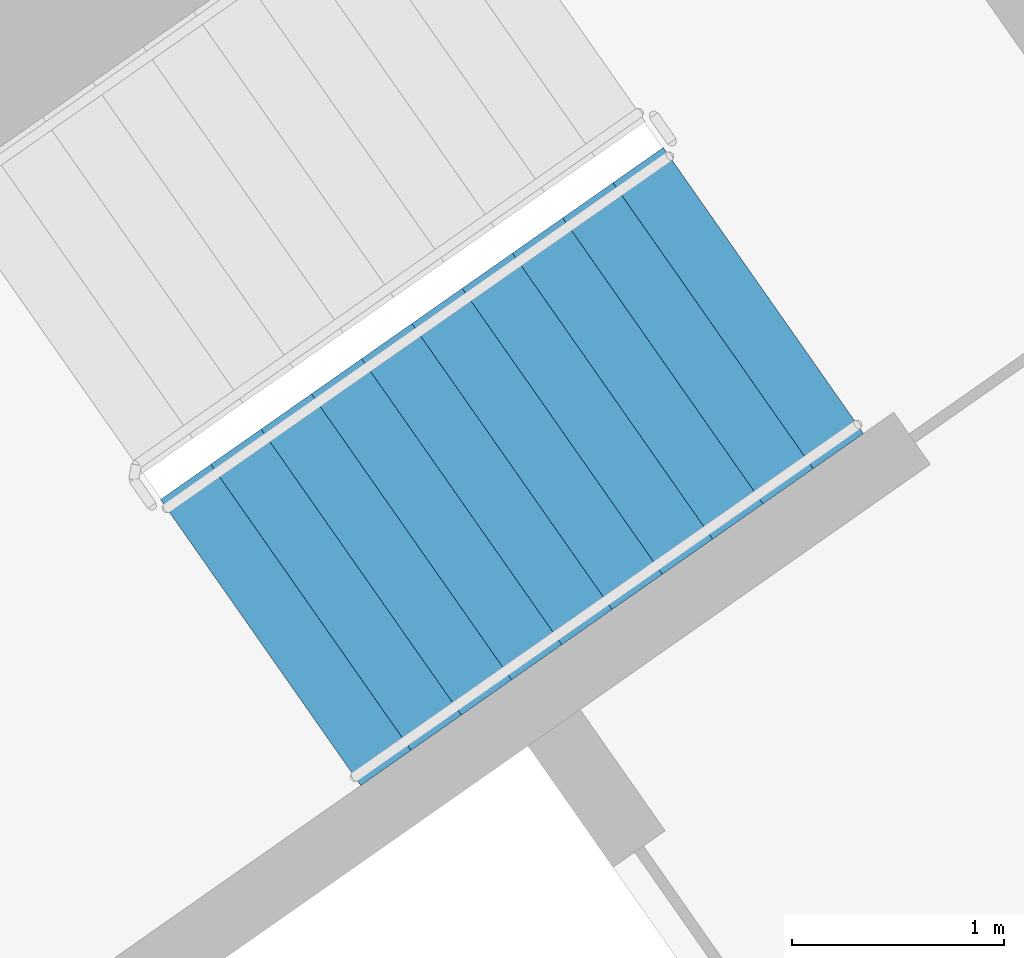
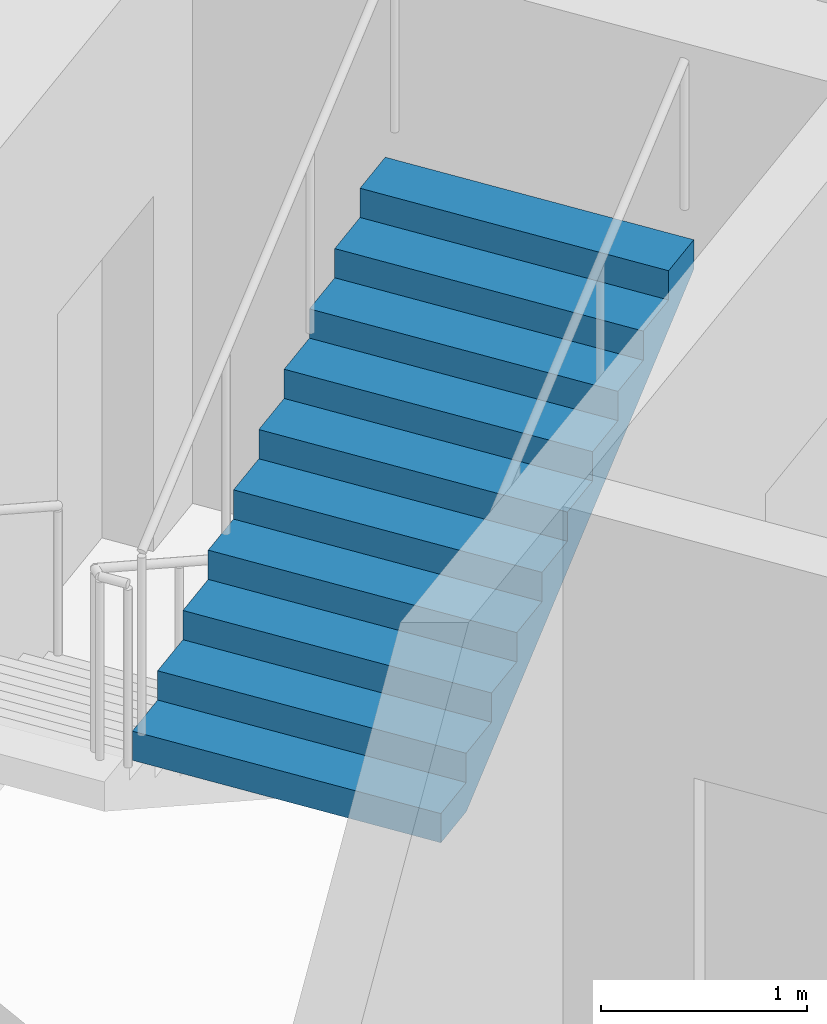
# One storey, part 15 of 26: 1 stair flight, 1 element without a shape of its own.
"""IFC4 building model written with IfcOpenShell, lengths in metres."""

from ifc_helpers import new_model, si_unit, direction, frame, origin, place, context, subcontext, project, spatial, faceted_brep, material, type_object, element, aggregate, save


model = new_model("IFC4")

# Units and contexts
model_context = context("Model", 3, precision=1e-05, world=origin(), true_north=direction((0.0, 1.0)))
body_context = subcontext(model_context, "Body", "Model", "MODEL_VIEW")
ifc_project = project(units=[si_unit("LENGTHUNIT", "METRE"), si_unit("AREAUNIT", "SQUARE_METRE"), si_unit("VOLUMEUNIT", "CUBIC_METRE"), si_unit("PLANEANGLEUNIT", "RADIAN"), si_unit("MASSUNIT", "GRAM", prefix="KILO")], contexts=[model_context])

# Site, building, storey
site_placement = place(None, origin())
site = spatial("IfcSite", under=ifc_project, at=site_placement, CompositionType="ELEMENT")
building_placement = place(site_placement, origin())
building = spatial("IfcBuilding", under=site, at=building_placement, Name="Qamariyya Broadcast Tower", CompositionType="ELEMENT")
storey_placement = place(building_placement, frame((0.0, 0.0, 156.89990234375)))
storey = spatial("IfcBuildingStorey", under=building, at=storey_placement, Name="L36", CompositionType="ELEMENT", Elevation=156.89990234375)

# Stair, stair flight
ifc_material = material(Name="Concrete C50/60", Category="concrete")
stair_type = type_object("IfcStairType", Name="Exit stair 22 risers of 173 mm", PredefinedType="HALF_TURN_STAIR", material=ifc_material)
stair_placement = place(storey_placement, origin())
stair = element("IfcStair", 1, at=stair_placement, inside=storey, type_object=stair_type, Name="L36 Stair E2", PredefinedType="HALF_TURN_STAIR")
stair_flight_type = type_object("IfcStairFlightType", Name="Exit stair flight 11 risers of 173 mm", PredefinedType="STRAIGHT", material=ifc_material)
stair_flight_placement = place(storey_placement, frame((39.215576171875, -50.822998046875, 1.900146484375), z_axis=(0.0, 0.0, 1.0), x_axis=(0.819152044289, 0.573576436351, 0.0)))
stair_flight = element("IfcStairFlight", 2, at=stair_flight_placement, type_object=stair_flight_type, Name="ST-E2 flight 2", NumberOfRisers=11, NumberOfTreads=10, PredefinedType="STRAIGHT", RiserHeight=0.172727273, TreadLength=0.29, context=body_context, shape_type="Brep", body=[
    faceted_brep([(0.0, 0.824951171875, 0.0), (0.0, 0.824951171875, 0.172607421875), (0.2900390625, 0.824951171875, 0.172607421875), (0.2900390625, 0.824951171875, 0.345458984375), (0.580078125, 0.824951171875, 0.345458984375), (0.580078125, 0.824951171875, 0.51806640625), (0.8701171875, 0.824951171875, 0.51806640625), (0.8701171875, 0.824951171875, 0.69091796875), (1.159912109375, 0.824951171875, 0.69091796875), (1.159912109375, 0.824951171875, 0.863525390625), (1.449951171875, 0.824951171875, 0.863525390625), (1.449951171875, 0.824951171875, 1.036376953125), (1.739990234375, 0.824951171875, 1.036376953125), (1.739990234375, 0.824951171875, 1.208984375), (2.030029296875, 0.824951171875, 1.208984375), (2.030029296875, 0.824951171875, 1.3818359375), (2.320068359375, 0.824951171875, 1.3818359375), (2.320068359375, 0.824951171875, 1.554443359375), (2.610107421875, 0.824951171875, 1.554443359375), (2.610107421875, 0.824951171875, 1.727294921875), (2.89990234375, 0.824951171875, 1.727294921875), (2.89990234375, 0.824951171875, 1.552734375), (0.29296875, 0.824951171875, 0.0), (0.29296875, -0.824951171875, 0.0), (2.89990234375, -0.824951171875, 1.552734375), (2.89990234375, -0.824951171875, 1.727294921875), (2.610107421875, -0.824951171875, 1.727294921875), (2.610107421875, -0.824951171875, 1.554443359375), (2.320068359375, -0.824951171875, 1.554443359375), (2.320068359375, -0.824951171875, 1.3818359375), (2.030029296875, -0.824951171875, 1.3818359375), (2.030029296875, -0.824951171875, 1.208984375), (1.739990234375, -0.824951171875, 1.208984375), (1.739990234375, -0.824951171875, 1.036376953125), (1.449951171875, -0.824951171875, 1.036376953125), (1.449951171875, -0.824951171875, 0.863525390625), (1.159912109375, -0.824951171875, 0.863525390625), (1.159912109375, -0.824951171875, 0.69091796875), (0.8701171875, -0.824951171875, 0.69091796875), (0.8701171875, -0.824951171875, 0.51806640625), (0.580078125, -0.824951171875, 0.51806640625), (0.580078125, -0.824951171875, 0.345458984375), (0.2900390625, -0.824951171875, 0.345458984375), (0.2900390625, -0.824951171875, 0.172607421875), (0.0, -0.824951171875, 0.172607421875), (0.0, -0.824951171875, 0.0), (0.0, 0.10009765625, 0.0), (0.0, 0.086669921875, 0.0), (0.0, 0.0732421875, 0.0), (0.0, 0.06005859375, 0.0), (0.0, 0.046630859375, 0.0), (0.0, 0.033447265625, 0.0), (0.0, 0.02001953125, 0.0), (0.0, 0.006591796875, 0.0), (0.0, -0.006591796875, 0.0), (0.0, -0.02001953125, 0.0), (0.0, -0.033447265625, 0.0), (0.0, -0.046630859375, 0.0), (0.0, -0.06005859375, 0.0), (0.0, -0.0732421875, 0.0), (0.0, -0.086669921875, 0.0), (0.0, -0.10009765625, 0.0), (0.0, -0.10009765625, 0.172607421875), (0.0, -0.086669921875, 0.172607421875), (0.0, -0.0732421875, 0.172607421875), (0.0, -0.06005859375, 0.172607421875), (0.0, -0.046630859375, 0.172607421875), (0.0, -0.033447265625, 0.172607421875), (0.0, -0.02001953125, 0.172607421875), (0.0, -0.006591796875, 0.172607421875), (0.0, 0.006591796875, 0.172607421875), (0.0, 0.02001953125, 0.172607421875), (0.0, 0.033447265625, 0.172607421875), (0.0, 0.046630859375, 0.172607421875), (0.0, 0.06005859375, 0.172607421875), (0.0, 0.0732421875, 0.172607421875), (0.0, 0.086669921875, 0.172607421875), (0.0, 0.10009765625, 0.172607421875), (0.2900390625, -0.10009765625, 0.172607421875), (0.2900390625, -0.086669921875, 0.172607421875), (0.2900390625, -0.0732421875, 0.172607421875), (0.2900390625, -0.06005859375, 0.172607421875), (0.2900390625, -0.046630859375, 0.172607421875), (0.2900390625, -0.033447265625, 0.172607421875), (0.2900390625, -0.02001953125, 0.172607421875), (0.2900390625, -0.006591796875, 0.172607421875), (0.2900390625, 0.006591796875, 0.172607421875), (0.2900390625, 0.02001953125, 0.172607421875), (0.2900390625, 0.033447265625, 0.172607421875), (0.2900390625, 0.046630859375, 0.172607421875), (0.2900390625, 0.06005859375, 0.172607421875), (0.2900390625, 0.0732421875, 0.172607421875), (0.2900390625, 0.086669921875, 0.172607421875), (0.2900390625, 0.10009765625, 0.172607421875), (0.2900390625, -0.10009765625, 0.345458984375), (0.2900390625, -0.086669921875, 0.345458984375), (0.2900390625, -0.0732421875, 0.345458984375), (0.2900390625, -0.06005859375, 0.345458984375), (0.2900390625, -0.046630859375, 0.345458984375), (0.2900390625, -0.033447265625, 0.345458984375), (0.2900390625, -0.02001953125, 0.345458984375), (0.2900390625, -0.006591796875, 0.345458984375), (0.2900390625, 0.006591796875, 0.345458984375), (0.2900390625, 0.02001953125, 0.345458984375), (0.2900390625, 0.033447265625, 0.345458984375), (0.2900390625, 0.046630859375, 0.345458984375), (0.2900390625, 0.06005859375, 0.345458984375), (0.2900390625, 0.0732421875, 0.345458984375), (0.2900390625, 0.086669921875, 0.345458984375), (0.2900390625, 0.10009765625, 0.345458984375), (0.580078125, -0.10009765625, 0.345458984375), (0.580078125, -0.086669921875, 0.345458984375), (0.580078125, -0.0732421875, 0.345458984375), (0.580078125, -0.06005859375, 0.345458984375), (0.580078125, -0.046630859375, 0.345458984375), (0.580078125, -0.033447265625, 0.345458984375), (0.580078125, -0.02001953125, 0.345458984375), (0.580078125, -0.006591796875, 0.345458984375), (0.580078125, 0.006591796875, 0.345458984375), (0.580078125, 0.02001953125, 0.345458984375), (0.580078125, 0.033447265625, 0.345458984375), (0.580078125, 0.046630859375, 0.345458984375), (0.580078125, 0.06005859375, 0.345458984375), (0.580078125, 0.0732421875, 0.345458984375), (0.580078125, 0.086669921875, 0.345458984375), (0.580078125, 0.10009765625, 0.345458984375), (0.580078125, -0.10009765625, 0.51806640625), (0.580078125, -0.086669921875, 0.51806640625), (0.580078125, -0.0732421875, 0.51806640625), (0.580078125, -0.06005859375, 0.51806640625), (0.580078125, -0.046630859375, 0.51806640625), (0.580078125, -0.033447265625, 0.51806640625), (0.580078125, -0.02001953125, 0.51806640625), (0.580078125, -0.006591796875, 0.51806640625), (0.580078125, 0.006591796875, 0.51806640625), (0.580078125, 0.02001953125, 0.51806640625), (0.580078125, 0.033447265625, 0.51806640625), (0.580078125, 0.046630859375, 0.51806640625), (0.580078125, 0.06005859375, 0.51806640625), (0.580078125, 0.0732421875, 0.51806640625), (0.580078125, 0.086669921875, 0.51806640625), (0.580078125, 0.10009765625, 0.51806640625), (0.8701171875, -0.10009765625, 0.51806640625), (0.8701171875, -0.086669921875, 0.51806640625), (0.8701171875, -0.0732421875, 0.51806640625), (0.8701171875, -0.06005859375, 0.51806640625), (0.8701171875, -0.046630859375, 0.51806640625), (0.8701171875, -0.033447265625, 0.51806640625), (0.8701171875, -0.02001953125, 0.51806640625), (0.8701171875, -0.006591796875, 0.51806640625), (0.8701171875, 0.006591796875, 0.51806640625), (0.8701171875, 0.02001953125, 0.51806640625), (0.8701171875, 0.033447265625, 0.51806640625), (0.8701171875, 0.046630859375, 0.51806640625), (0.8701171875, 0.06005859375, 0.51806640625), (0.8701171875, 0.0732421875, 0.51806640625), (0.8701171875, 0.086669921875, 0.51806640625), (0.8701171875, 0.10009765625, 0.51806640625), (0.8701171875, -0.10009765625, 0.69091796875), (0.8701171875, -0.086669921875, 0.69091796875), (0.8701171875, -0.0732421875, 0.69091796875), (0.8701171875, -0.06005859375, 0.69091796875), (0.8701171875, -0.046630859375, 0.69091796875), (0.8701171875, -0.033447265625, 0.69091796875), (0.8701171875, -0.02001953125, 0.69091796875), (0.8701171875, -0.006591796875, 0.69091796875), (0.8701171875, 0.006591796875, 0.69091796875), (0.8701171875, 0.02001953125, 0.69091796875), (0.8701171875, 0.033447265625, 0.69091796875), (0.8701171875, 0.046630859375, 0.69091796875), (0.8701171875, 0.06005859375, 0.69091796875), (0.8701171875, 0.0732421875, 0.69091796875), (0.8701171875, 0.086669921875, 0.69091796875), (0.8701171875, 0.10009765625, 0.69091796875), (1.159912109375, -0.10009765625, 0.69091796875), (1.159912109375, -0.086669921875, 0.69091796875), (1.159912109375, -0.0732421875, 0.69091796875), (1.159912109375, -0.06005859375, 0.69091796875), (1.159912109375, -0.046630859375, 0.69091796875), (1.159912109375, -0.033447265625, 0.69091796875), (1.159912109375, -0.02001953125, 0.69091796875), (1.159912109375, -0.006591796875, 0.69091796875), (1.159912109375, 0.006591796875, 0.69091796875), (1.159912109375, 0.02001953125, 0.69091796875), (1.159912109375, 0.033447265625, 0.69091796875), (1.159912109375, 0.046630859375, 0.69091796875), (1.159912109375, 0.06005859375, 0.69091796875), (1.159912109375, 0.0732421875, 0.69091796875), (1.159912109375, 0.086669921875, 0.69091796875), (1.159912109375, 0.10009765625, 0.69091796875), (1.159912109375, -0.10009765625, 0.863525390625), (1.159912109375, -0.086669921875, 0.863525390625), (1.159912109375, -0.0732421875, 0.863525390625), (1.159912109375, -0.06005859375, 0.863525390625), (1.159912109375, -0.046630859375, 0.863525390625), (1.159912109375, -0.033447265625, 0.863525390625), (1.159912109375, -0.02001953125, 0.863525390625), (1.159912109375, -0.006591796875, 0.863525390625), (1.159912109375, 0.006591796875, 0.863525390625), (1.159912109375, 0.02001953125, 0.863525390625), (1.159912109375, 0.033447265625, 0.863525390625), (1.159912109375, 0.046630859375, 0.863525390625), (1.159912109375, 0.06005859375, 0.863525390625), (1.159912109375, 0.0732421875, 0.863525390625), (1.159912109375, 0.086669921875, 0.863525390625), (1.159912109375, 0.10009765625, 0.863525390625), (1.449951171875, -0.10009765625, 0.863525390625), (1.449951171875, -0.086669921875, 0.863525390625), (1.449951171875, -0.0732421875, 0.863525390625), (1.449951171875, -0.06005859375, 0.863525390625), (1.449951171875, -0.046630859375, 0.863525390625), (1.449951171875, -0.033447265625, 0.863525390625), (1.449951171875, -0.02001953125, 0.863525390625), (1.449951171875, -0.006591796875, 0.863525390625), (1.449951171875, 0.006591796875, 0.863525390625), (1.449951171875, 0.02001953125, 0.863525390625), (1.449951171875, 0.033447265625, 0.863525390625), (1.449951171875, 0.046630859375, 0.863525390625), (1.449951171875, 0.06005859375, 0.863525390625), (1.449951171875, 0.0732421875, 0.863525390625), (1.449951171875, 0.086669921875, 0.863525390625), (1.449951171875, 0.10009765625, 0.863525390625), (1.449951171875, -0.10009765625, 1.036376953125), (1.449951171875, -0.086669921875, 1.036376953125), (1.449951171875, -0.0732421875, 1.036376953125), (1.449951171875, -0.06005859375, 1.036376953125), (1.449951171875, -0.046630859375, 1.036376953125), (1.449951171875, -0.033447265625, 1.036376953125), (1.449951171875, -0.02001953125, 1.036376953125), (1.449951171875, -0.006591796875, 1.036376953125), (1.449951171875, 0.006591796875, 1.036376953125), (1.449951171875, 0.02001953125, 1.036376953125), (1.449951171875, 0.033447265625, 1.036376953125), (1.449951171875, 0.046630859375, 1.036376953125), (1.449951171875, 0.06005859375, 1.036376953125), (1.449951171875, 0.0732421875, 1.036376953125), (1.449951171875, 0.086669921875, 1.036376953125), (1.449951171875, 0.10009765625, 1.036376953125), (1.739990234375, -0.10009765625, 1.036376953125), (1.739990234375, -0.086669921875, 1.036376953125), (1.739990234375, -0.0732421875, 1.036376953125), (1.739990234375, -0.06005859375, 1.036376953125), (1.739990234375, -0.046630859375, 1.036376953125), (1.739990234375, -0.033447265625, 1.036376953125), (1.739990234375, -0.02001953125, 1.036376953125), (1.739990234375, -0.006591796875, 1.036376953125), (1.739990234375, 0.006591796875, 1.036376953125), (1.739990234375, 0.02001953125, 1.036376953125), (1.739990234375, 0.033447265625, 1.036376953125), (1.739990234375, 0.046630859375, 1.036376953125), (1.739990234375, 0.06005859375, 1.036376953125), (1.739990234375, 0.0732421875, 1.036376953125), (1.739990234375, 0.086669921875, 1.036376953125), (1.739990234375, 0.10009765625, 1.036376953125), (1.739990234375, -0.10009765625, 1.208984375), (1.739990234375, -0.086669921875, 1.208984375), (1.739990234375, -0.0732421875, 1.208984375), (1.739990234375, -0.06005859375, 1.208984375), (1.739990234375, -0.046630859375, 1.208984375), (1.739990234375, -0.033447265625, 1.208984375), (1.739990234375, -0.02001953125, 1.208984375), (1.739990234375, -0.006591796875, 1.208984375), (1.739990234375, 0.006591796875, 1.208984375), (1.739990234375, 0.02001953125, 1.208984375), (1.739990234375, 0.033447265625, 1.208984375), (1.739990234375, 0.046630859375, 1.208984375), (1.739990234375, 0.06005859375, 1.208984375), (1.739990234375, 0.0732421875, 1.208984375), (1.739990234375, 0.086669921875, 1.208984375), (1.739990234375, 0.10009765625, 1.208984375), (2.030029296875, -0.10009765625, 1.208984375), (2.030029296875, -0.086669921875, 1.208984375), (2.030029296875, -0.0732421875, 1.208984375), (2.030029296875, -0.06005859375, 1.208984375), (2.030029296875, -0.046630859375, 1.208984375), (2.030029296875, -0.033447265625, 1.208984375), (2.030029296875, -0.02001953125, 1.208984375), (2.030029296875, -0.006591796875, 1.208984375), (2.030029296875, 0.006591796875, 1.208984375), (2.030029296875, 0.02001953125, 1.208984375), (2.030029296875, 0.033447265625, 1.208984375), (2.030029296875, 0.046630859375, 1.208984375), (2.030029296875, 0.06005859375, 1.208984375), (2.030029296875, 0.0732421875, 1.208984375), (2.030029296875, 0.086669921875, 1.208984375), (2.030029296875, 0.10009765625, 1.208984375), (2.030029296875, -0.10009765625, 1.3818359375), (2.030029296875, -0.086669921875, 1.3818359375), (2.030029296875, -0.0732421875, 1.3818359375), (2.030029296875, -0.06005859375, 1.3818359375), (2.030029296875, -0.046630859375, 1.3818359375), (2.030029296875, -0.033447265625, 1.3818359375), (2.030029296875, -0.02001953125, 1.3818359375), (2.030029296875, -0.006591796875, 1.3818359375), (2.030029296875, 0.006591796875, 1.3818359375), (2.030029296875, 0.02001953125, 1.3818359375), (2.030029296875, 0.033447265625, 1.3818359375), (2.030029296875, 0.046630859375, 1.3818359375), (2.030029296875, 0.06005859375, 1.3818359375), (2.030029296875, 0.0732421875, 1.3818359375), (2.030029296875, 0.086669921875, 1.3818359375), (2.030029296875, 0.10009765625, 1.3818359375), (2.320068359375, -0.10009765625, 1.3818359375), (2.320068359375, -0.086669921875, 1.3818359375), (2.320068359375, -0.0732421875, 1.3818359375), (2.320068359375, -0.06005859375, 1.3818359375), (2.320068359375, -0.046630859375, 1.3818359375), (2.320068359375, -0.033447265625, 1.3818359375), (2.320068359375, -0.02001953125, 1.3818359375), (2.320068359375, -0.006591796875, 1.3818359375), (2.320068359375, 0.006591796875, 1.3818359375), (2.320068359375, 0.02001953125, 1.3818359375), (2.320068359375, 0.033447265625, 1.3818359375), (2.320068359375, 0.046630859375, 1.3818359375), (2.320068359375, 0.06005859375, 1.3818359375), (2.320068359375, 0.0732421875, 1.3818359375), (2.320068359375, 0.086669921875, 1.3818359375), (2.320068359375, 0.10009765625, 1.3818359375), (2.320068359375, -0.10009765625, 1.554443359375), (2.320068359375, -0.086669921875, 1.554443359375), (2.320068359375, -0.0732421875, 1.554443359375), (2.320068359375, -0.06005859375, 1.554443359375), (2.320068359375, -0.046630859375, 1.554443359375), (2.320068359375, -0.033447265625, 1.554443359375), (2.320068359375, -0.02001953125, 1.554443359375), (2.320068359375, -0.006591796875, 1.554443359375), (2.320068359375, 0.006591796875, 1.554443359375), (2.320068359375, 0.02001953125, 1.554443359375), (2.320068359375, 0.033447265625, 1.554443359375), (2.320068359375, 0.046630859375, 1.554443359375), (2.320068359375, 0.06005859375, 1.554443359375), (2.320068359375, 0.0732421875, 1.554443359375), (2.320068359375, 0.086669921875, 1.554443359375), (2.320068359375, 0.10009765625, 1.554443359375), (2.610107421875, -0.10009765625, 1.554443359375), (2.610107421875, -0.086669921875, 1.554443359375), (2.610107421875, -0.0732421875, 1.554443359375), (2.610107421875, -0.06005859375, 1.554443359375), (2.610107421875, -0.046630859375, 1.554443359375), (2.610107421875, -0.033447265625, 1.554443359375), (2.610107421875, -0.02001953125, 1.554443359375), (2.610107421875, -0.006591796875, 1.554443359375), (2.610107421875, 0.006591796875, 1.554443359375), (2.610107421875, 0.02001953125, 1.554443359375), (2.610107421875, 0.033447265625, 1.554443359375), (2.610107421875, 0.046630859375, 1.554443359375), (2.610107421875, 0.06005859375, 1.554443359375), (2.610107421875, 0.0732421875, 1.554443359375), (2.610107421875, 0.086669921875, 1.554443359375), (2.610107421875, 0.10009765625, 1.554443359375), (2.610107421875, -0.10009765625, 1.727294921875), (2.610107421875, -0.086669921875, 1.727294921875), (2.610107421875, -0.0732421875, 1.727294921875), (2.610107421875, -0.06005859375, 1.727294921875), (2.610107421875, -0.046630859375, 1.727294921875), (2.610107421875, -0.033447265625, 1.727294921875), (2.610107421875, -0.02001953125, 1.727294921875), (2.610107421875, -0.006591796875, 1.727294921875), (2.610107421875, 0.006591796875, 1.727294921875), (2.610107421875, 0.02001953125, 1.727294921875), (2.610107421875, 0.033447265625, 1.727294921875), (2.610107421875, 0.046630859375, 1.727294921875), (2.610107421875, 0.06005859375, 1.727294921875), (2.610107421875, 0.0732421875, 1.727294921875), (2.610107421875, 0.086669921875, 1.727294921875), (2.610107421875, 0.10009765625, 1.727294921875), (2.89990234375, -0.10009765625, 1.727294921875), (2.89990234375, -0.086669921875, 1.727294921875), (2.89990234375, -0.0732421875, 1.727294921875), (2.89990234375, -0.06005859375, 1.727294921875), (2.89990234375, -0.046630859375, 1.727294921875), (2.89990234375, -0.033447265625, 1.727294921875), (2.89990234375, -0.02001953125, 1.727294921875), (2.89990234375, -0.006591796875, 1.727294921875), (2.89990234375, 0.006591796875, 1.727294921875), (2.89990234375, 0.02001953125, 1.727294921875), (2.89990234375, 0.033447265625, 1.727294921875), (2.89990234375, 0.046630859375, 1.727294921875), (2.89990234375, 0.06005859375, 1.727294921875), (2.89990234375, 0.0732421875, 1.727294921875), (2.89990234375, 0.086669921875, 1.727294921875), (2.89990234375, 0.10009765625, 1.727294921875), (2.89990234375, -0.10009765625, 1.552734375), (2.89990234375, -0.086669921875, 1.552734375), (2.89990234375, -0.0732421875, 1.552734375), (2.89990234375, -0.06005859375, 1.552734375), (2.89990234375, -0.046630859375, 1.552734375), (2.89990234375, -0.033447265625, 1.552734375), (2.89990234375, -0.02001953125, 1.552734375), (2.89990234375, -0.006591796875, 1.552734375), (2.89990234375, 0.006591796875, 1.552734375), (2.89990234375, 0.02001953125, 1.552734375), (2.89990234375, 0.033447265625, 1.552734375), (2.89990234375, 0.046630859375, 1.552734375), (2.89990234375, 0.06005859375, 1.552734375), (2.89990234375, 0.0732421875, 1.552734375), (2.89990234375, 0.086669921875, 1.552734375), (2.89990234375, 0.10009765625, 1.552734375), (0.29296875, -0.10009765625, 0.0), (0.29296875, -0.086669921875, 0.0), (0.29296875, -0.0732421875, 0.0), (0.29296875, -0.06005859375, 0.0), (0.29296875, -0.046630859375, 0.0), (0.29296875, -0.033447265625, 0.0), (0.29296875, -0.02001953125, 0.0), (0.29296875, -0.006591796875, 0.0), (0.29296875, 0.006591796875, 0.0), (0.29296875, 0.02001953125, 0.0), (0.29296875, 0.033447265625, 0.0), (0.29296875, 0.046630859375, 0.0), (0.29296875, 0.06005859375, 0.0), (0.29296875, 0.0732421875, 0.0), (0.29296875, 0.086669921875, 0.0), (0.29296875, 0.10009765625, 0.0)], [[[0, 1, 2, 3, 4, 5, 6, 7, 8, 9, 10, 11, 12, 13, 14, 15, 16, 17, 18, 19, 20, 21, 22]], [[23, 24, 25, 26, 27, 28, 29, 30, 31, 32, 33, 34, 35, 36, 37, 38, 39, 40, 41, 42, 43, 44, 45]], [[0, 46, 47, 48, 49, 50, 51, 52, 53, 54, 55, 56, 57, 58, 59, 60, 61, 45, 44, 62, 63, 64, 65, 66, 67, 68, 69, 70, 71, 72, 73, 74, 75, 76, 77, 1]], [[1, 77, 76, 75, 74, 73, 72, 71, 70, 69, 68, 67, 66, 65, 64, 63, 62, 44, 43, 78, 79, 80, 81, 82, 83, 84, 85, 86, 87, 88, 89, 90, 91, 92, 93, 2]], [[2, 93, 92, 91, 90, 89, 88, 87, 86, 85, 84, 83, 82, 81, 80, 79, 78, 43, 42, 94, 95, 96, 97, 98, 99, 100, 101, 102, 103, 104, 105, 106, 107, 108, 109, 3]], [[3, 109, 108, 107, 106, 105, 104, 103, 102, 101, 100, 99, 98, 97, 96, 95, 94, 42, 41, 110, 111, 112, 113, 114, 115, 116, 117, 118, 119, 120, 121, 122, 123, 124, 125, 4]], [[4, 125, 124, 123, 122, 121, 120, 119, 118, 117, 116, 115, 114, 113, 112, 111, 110, 41, 40, 126, 127, 128, 129, 130, 131, 132, 133, 134, 135, 136, 137, 138, 139, 140, 141, 5]], [[5, 141, 140, 139, 138, 137, 136, 135, 134, 133, 132, 131, 130, 129, 128, 127, 126, 40, 39, 142, 143, 144, 145, 146, 147, 148, 149, 150, 151, 152, 153, 154, 155, 156, 157, 6]], [[6, 157, 156, 155, 154, 153, 152, 151, 150, 149, 148, 147, 146, 145, 144, 143, 142, 39, 38, 158, 159, 160, 161, 162, 163, 164, 165, 166, 167, 168, 169, 170, 171, 172, 173, 7]], [[7, 173, 172, 171, 170, 169, 168, 167, 166, 165, 164, 163, 162, 161, 160, 159, 158, 38, 37, 174, 175, 176, 177, 178, 179, 180, 181, 182, 183, 184, 185, 186, 187, 188, 189, 8]], [[8, 189, 188, 187, 186, 185, 184, 183, 182, 181, 180, 179, 178, 177, 176, 175, 174, 37, 36, 190, 191, 192, 193, 194, 195, 196, 197, 198, 199, 200, 201, 202, 203, 204, 205, 9]], [[9, 205, 204, 203, 202, 201, 200, 199, 198, 197, 196, 195, 194, 193, 192, 191, 190, 36, 35, 206, 207, 208, 209, 210, 211, 212, 213, 214, 215, 216, 217, 218, 219, 220, 221, 10]], [[10, 221, 220, 219, 218, 217, 216, 215, 214, 213, 212, 211, 210, 209, 208, 207, 206, 35, 34, 222, 223, 224, 225, 226, 227, 228, 229, 230, 231, 232, 233, 234, 235, 236, 237, 11]], [[11, 237, 236, 235, 234, 233, 232, 231, 230, 229, 228, 227, 226, 225, 224, 223, 222, 34, 33, 238, 239, 240, 241, 242, 243, 244, 245, 246, 247, 248, 249, 250, 251, 252, 253, 12]], [[12, 253, 252, 251, 250, 249, 248, 247, 246, 245, 244, 243, 242, 241, 240, 239, 238, 33, 32, 254, 255, 256, 257, 258, 259, 260, 261, 262, 263, 264, 265, 266, 267, 268, 269, 13]], [[13, 269, 268, 267, 266, 265, 264, 263, 262, 261, 260, 259, 258, 257, 256, 255, 254, 32, 31, 270, 271, 272, 273, 274, 275, 276, 277, 278, 279, 280, 281, 282, 283, 284, 285, 14]], [[14, 285, 284, 283, 282, 281, 280, 279, 278, 277, 276, 275, 274, 273, 272, 271, 270, 31, 30, 286, 287, 288, 289, 290, 291, 292, 293, 294, 295, 296, 297, 298, 299, 300, 301, 15]], [[15, 301, 300, 299, 298, 297, 296, 295, 294, 293, 292, 291, 290, 289, 288, 287, 286, 30, 29, 302, 303, 304, 305, 306, 307, 308, 309, 310, 311, 312, 313, 314, 315, 316, 317, 16]], [[16, 317, 316, 315, 314, 313, 312, 311, 310, 309, 308, 307, 306, 305, 304, 303, 302, 29, 28, 318, 319, 320, 321, 322, 323, 324, 325, 326, 327, 328, 329, 330, 331, 332, 333, 17]], [[17, 333, 332, 331, 330, 329, 328, 327, 326, 325, 324, 323, 322, 321, 320, 319, 318, 28, 27, 334, 335, 336, 337, 338, 339, 340, 341, 342, 343, 344, 345, 346, 347, 348, 349, 18]], [[18, 349, 348, 347, 346, 345, 344, 343, 342, 341, 340, 339, 338, 337, 336, 335, 334, 27, 26, 350, 351, 352, 353, 354, 355, 356, 357, 358, 359, 360, 361, 362, 363, 364, 365, 19]], [[19, 365, 364, 363, 362, 361, 360, 359, 358, 357, 356, 355, 354, 353, 352, 351, 350, 26, 25, 366, 367, 368, 369, 370, 371, 372, 373, 374, 375, 376, 377, 378, 379, 380, 381, 20]], [[20, 381, 380, 379, 378, 377, 376, 375, 374, 373, 372, 371, 370, 369, 368, 367, 366, 25, 24, 382, 383, 384, 385, 386, 387, 388, 389, 390, 391, 392, 393, 394, 395, 396, 397, 21]], [[21, 397, 396, 395, 394, 393, 392, 391, 390, 389, 388, 387, 386, 385, 384, 383, 382, 24, 23, 398, 399, 400, 401, 402, 403, 404, 405, 406, 407, 408, 409, 410, 411, 412, 413, 22]], [[22, 413, 412, 411, 410, 409, 408, 407, 406, 405, 404, 403, 402, 401, 400, 399, 398, 23, 45, 61, 60, 59, 58, 57, 56, 55, 54, 53, 52, 51, 50, 49, 48, 47, 46, 0]]]),
])
aggregate(stair, [stair_flight])

save(model, "model.ifc")
